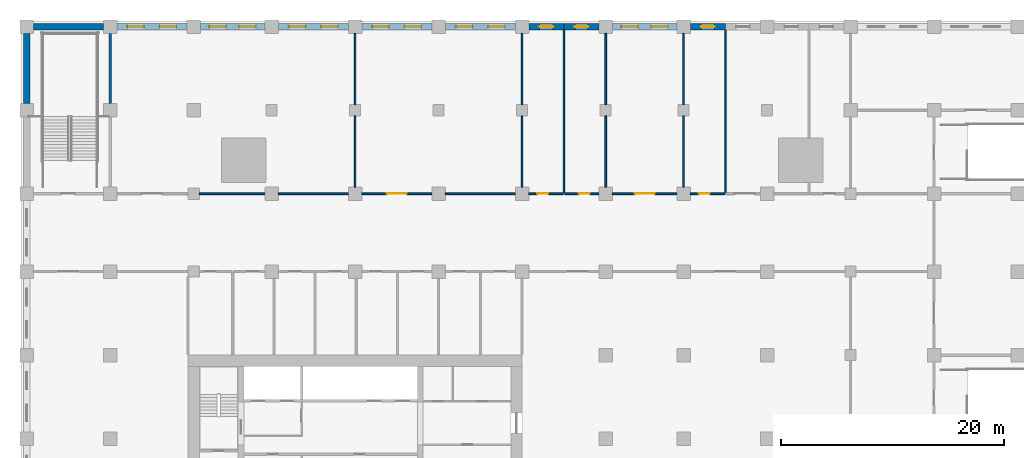
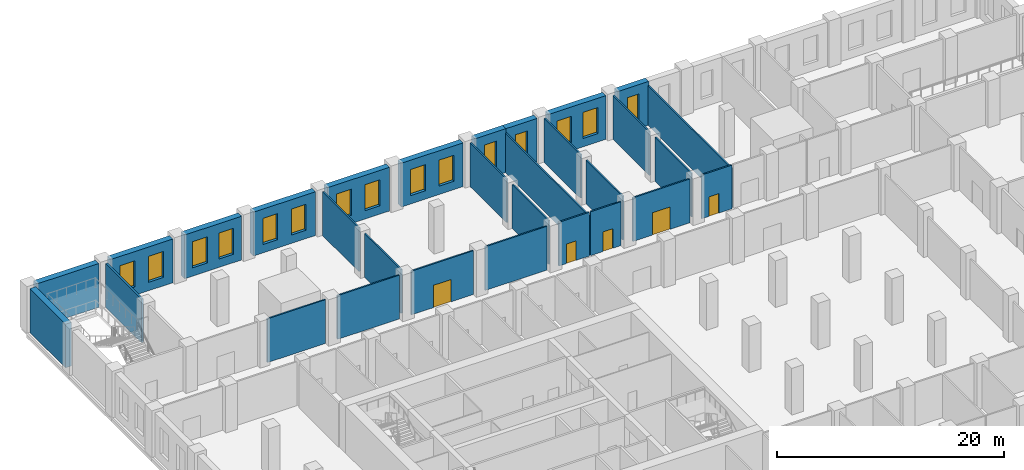
# One storey, part 10 of 22: 30 walls, 15 windows, 5 doors, 20 openings.
"""IFC4 building model written with IfcOpenShell, lengths in metres."""

from ifc_helpers import new_model, si_unit, direction, frame, frame_2d, origin, place, context, subcontext, project, spatial, rectangle, extrude, material, layer, layer_set, type_object, element, fill, save


model = new_model("IFC4")

# Units and contexts
model_context = context("Model", 3, precision=1e-05, world=origin(), true_north=direction((0.0, 1.0)))
body_context = subcontext(model_context, "Body", "Model", "MODEL_VIEW")
ifc_project = project(units=[si_unit("LENGTHUNIT", "METRE"), si_unit("AREAUNIT", "SQUARE_METRE"), si_unit("VOLUMEUNIT", "CUBIC_METRE"), si_unit("PLANEANGLEUNIT", "RADIAN"), si_unit("MASSUNIT", "GRAM", prefix="KILO")], contexts=[model_context])

# Site, building, storey
site_placement = place(None, origin())
site = spatial("IfcSite", under=ifc_project, at=site_placement, CompositionType="ELEMENT")
building_placement = place(site_placement, origin())
building = spatial("IfcBuilding", under=site, at=building_placement, Name="Tamorin Gate", CompositionType="ELEMENT")
storey_placement = place(building_placement, frame((0.0, 0.0, 29.0)))
storey = spatial("IfcBuildingStorey", under=building, at=storey_placement, Name="L05", CompositionType="ELEMENT", Elevation=29.0)

# Walls
ifc_material_1 = material(Name="Concrete masonry C20/25", Category="masonry")
ifc_layer_1 = layer(ifc_material_1, 0.14990234375)
ifc_layer_set_1 = layer_set([ifc_layer_1], Name="Partition 150")
wall_type_1 = type_object("IfcWallType", Name="Partition 150", PredefinedType="PARTITIONING", material=ifc_layer_set_1)
wall_1_placement = place(storey_placement, frame((31.0, 97.0, 0.0), z_axis=(0.0, 0.0, 1.0), x_axis=(1.0, 0.0, 0.0)))
element("IfcWall", 1, at=wall_1_placement, inside=storey, type_object=wall_type_1, Name="Partition 150 L05", PredefinedType="PARTITIONING", context=body_context, shape_type="SweptSolid", body=[
    extrude(rectangle(XDim=5.89990234375, YDim=0.14990234375, at=frame_2d((2.949951171875, 0.0))), origin(), (0.0, 0.0, 1.0), 4.699951171875),
])
wall_2_placement = place(storey_placement, frame((38.10009765625, 97.0, 0.0), z_axis=(0.0, 0.0, 1.0), x_axis=(1.0, 0.0, 0.0)))
element("IfcWall", 2, at=wall_2_placement, inside=storey, type_object=wall_type_1, Name="Partition 150 L05", PredefinedType="PARTITIONING", context=body_context, shape_type="SweptSolid", body=[
    extrude(rectangle(XDim=6.2998046875, YDim=0.14990234375, at=frame_2d((3.14990234375, 0.0))), origin(), (0.0, 0.0, 1.0), 4.699951171875),
])

# Wall, opening, door
wall_3_placement = place(storey_placement, frame((51.89990234375, 97.0, 0.0), z_axis=(0.0, 0.0, 1.0), x_axis=(-1.0, 0.0, 0.0)))
wall_3 = element("IfcWall", 3, at=wall_3_placement, inside=storey, type_object=wall_type_1, Name="Partition 150 L05", PredefinedType="PARTITIONING", context=body_context, shape_type="SweptSolid", body=[
    extrude(rectangle(XDim=6.2998046875, YDim=0.14990234375, at=frame_2d((3.14990234375, 0.0))), origin(), (0.0, 0.0, 1.0), 4.699951171875),
])
opening_1_placement = place(wall_3_placement, frame((2.25, 0.0, 0.0)))
opening_1 = element("IfcOpeningElement", 4, at=opening_1_placement, cuts=wall_3, Name="Opening DP3", PredefinedType="OPENING", context=body_context, shape_type="SweptSolid", body=[
    extrude(rectangle(XDim=1.800048828125, YDim=2.39990234375, at=frame_2d((0.89990234375, 1.199951171875))), frame((0.0, 0.0849609375, 0.0), z_axis=(0.0, -1.0, 0.0), x_axis=(1.0, 0.0, 0.0)), (0.0, 0.0, 1.0), 0.169921875),
])
ifc_material_2 = material(Name="Steel and glass", Category="steel")
door_type_1 = type_object("IfcDoorType", Name="Door pair 1800", OperationType="DOUBLE_DOOR_SINGLE_SWING", PredefinedType="DOOR", material=ifc_material_2)
door_1_placement = place(opening_1_placement, origin())
door_1 = element("IfcDoor", 5, at=door_1_placement, inside=storey, type_object=door_type_1, Name="Door pair 1800 L05", OperationType="SINGLE_SWING_LEFT", OverallHeight=2.39990234375, OverallWidth=1.800048828125, PredefinedType="DOOR", context=body_context, shape_type="SweptSolid", body=[
    extrude(rectangle(XDim=1.800048828125, YDim=2.39990234375, at=frame_2d((0.89990234375, 1.199951171875))), frame((0.0, 0.02490234375, 0.0), z_axis=(0.0, -1.0, 0.0), x_axis=(1.0, 0.0, 0.0)), (0.0, 0.0, 1.0), 0.050048828125),
])
fill(opening_1, door_1)

# Wall
wall_4_placement = place(storey_placement, frame((53.10009765625, 97.0, 0.0), z_axis=(0.0, 0.0, 1.0), x_axis=(1.0, 0.0, 0.0)))
element("IfcWall", 6, at=wall_4_placement, inside=storey, type_object=wall_type_1, Name="Partition 150 L05", PredefinedType="PARTITIONING", context=body_context, shape_type="SweptSolid", body=[
    extrude(rectangle(XDim=6.2998046875, YDim=0.14990234375, at=frame_2d((3.14990234375, 0.0))), origin(), (0.0, 0.0, 1.0), 4.699951171875),
])

# Wall, opening, door
wall_5_placement = place(storey_placement, frame((63.675048828125, 97.0, 0.0), z_axis=(0.0, 0.0, 1.0), x_axis=(-1.0, 0.0, 0.0)))
wall_5 = element("IfcWall", 7, at=wall_5_placement, inside=storey, type_object=wall_type_1, Name="Partition 150 L05", PredefinedType="PARTITIONING", context=body_context, shape_type="SweptSolid", body=[
    extrude(rectangle(XDim=3.074951171875, YDim=0.14990234375, at=frame_2d((1.53759765625, 0.0))), origin(), (0.0, 0.0, 1.0), 4.699951171875),
])
opening_2_placement = place(wall_5_placement, frame((1.324951171875, 0.0, 0.0)))
opening_2 = element("IfcOpeningElement", 8, at=opening_2_placement, cuts=wall_5, Name="Opening DP2", PredefinedType="OPENING", context=body_context, shape_type="SweptSolid", body=[
    extrude(rectangle(XDim=1.0, YDim=2.10009765625, at=frame_2d((0.5, 1.050048828125))), frame((0.0, 0.0849609375, 0.0), z_axis=(0.0, -1.0, 0.0), x_axis=(1.0, 0.0, 0.0)), (0.0, 0.0, 1.0), 0.169921875),
])
ifc_material_3 = material(Name="Painted steel", Category="steel")
door_type_2 = type_object("IfcDoorType", Name="Door single 1000", OperationType="SINGLE_SWING_LEFT", PredefinedType="DOOR", material=ifc_material_3)
door_2_placement = place(opening_2_placement, origin())
door_2 = element("IfcDoor", 9, at=door_2_placement, inside=storey, type_object=door_type_2, Name="Door single 1000 L05", OperationType="SINGLE_SWING_LEFT", OverallHeight=2.10009765625, OverallWidth=1.0, PredefinedType="DOOR", context=body_context, shape_type="SweptSolid", body=[
    extrude(rectangle(XDim=1.0, YDim=2.10009765625, at=frame_2d((0.5, 1.050048828125))), frame((0.0, 0.02490234375, 0.0), z_axis=(0.0, -1.0, 0.0), x_axis=(1.0, 0.0, 0.0)), (0.0, 0.0, 1.0), 0.050048828125),
])
fill(opening_2, door_2)

wall_6_placement = place(storey_placement, frame((66.89990234375, 97.0, 0.0), z_axis=(0.0, 0.0, 1.0), x_axis=(-1.0, 0.0, 0.0)))
wall_6 = element("IfcWall", 10, at=wall_6_placement, inside=storey, type_object=wall_type_1, Name="Partition 150 L05", PredefinedType="PARTITIONING", context=body_context, shape_type="SweptSolid", body=[
    extrude(rectangle(XDim=3.074951171875, YDim=0.14990234375, at=frame_2d((1.53759765625, 0.0))), origin(), (0.0, 0.0, 1.0), 4.699951171875),
])
opening_3_placement = place(wall_6_placement, frame((0.824951171875, 0.0, 0.0)))
opening_3 = element("IfcOpeningElement", 11, at=opening_3_placement, cuts=wall_6, Name="Opening DP2", PredefinedType="OPENING", context=body_context, shape_type="SweptSolid", body=[
    extrude(rectangle(XDim=1.0, YDim=2.10009765625, at=frame_2d((0.5, 1.050048828125))), frame((0.0, 0.0849609375, 0.0), z_axis=(0.0, -1.0, 0.0), x_axis=(1.0, 0.0, 0.0)), (0.0, 0.0, 1.0), 0.169921875),
])
door_3_placement = place(opening_3_placement, origin())
door_3 = element("IfcDoor", 12, at=door_3_placement, inside=storey, type_object=door_type_2, Name="Door single 1000 L05", OperationType="SINGLE_SWING_LEFT", OverallHeight=2.10009765625, OverallWidth=1.0, PredefinedType="DOOR", context=body_context, shape_type="SweptSolid", body=[
    extrude(rectangle(XDim=1.0, YDim=2.10009765625, at=frame_2d((0.5, 1.050048828125))), frame((0.0, 0.02490234375, 0.0), z_axis=(0.0, -1.0, 0.0), x_axis=(1.0, 0.0, 0.0)), (0.0, 0.0, 1.0), 0.050048828125),
])
fill(opening_3, door_3)

wall_7_placement = place(storey_placement, frame((73.89990234375, 97.0, 0.0), z_axis=(0.0, 0.0, 1.0), x_axis=(-1.0, 0.0, 0.0)))
wall_7 = element("IfcWall", 13, at=wall_7_placement, inside=storey, type_object=wall_type_1, Name="Partition 150 L05", PredefinedType="PARTITIONING", context=body_context, shape_type="SweptSolid", body=[
    extrude(rectangle(XDim=5.7998046875, YDim=0.14990234375, at=frame_2d((2.89990234375, 0.0))), origin(), (0.0, 0.0, 1.0), 4.699951171875),
])
opening_4_placement = place(wall_7_placement, frame((2.0, 0.0, 0.0)))
opening_4 = element("IfcOpeningElement", 14, at=opening_4_placement, cuts=wall_7, Name="Opening DP3", PredefinedType="OPENING", context=body_context, shape_type="SweptSolid", body=[
    extrude(rectangle(XDim=1.800048828125, YDim=2.39990234375, at=frame_2d((0.89990234375, 1.199951171875))), frame((0.0, 0.0849609375, 0.0), z_axis=(0.0, -1.0, 0.0), x_axis=(1.0, 0.0, 0.0)), (0.0, 0.0, 1.0), 0.169921875),
])
door_4_placement = place(opening_4_placement, origin())
door_4 = element("IfcDoor", 15, at=door_4_placement, inside=storey, type_object=door_type_1, Name="Door pair 1800 L05", OperationType="SINGLE_SWING_LEFT", OverallHeight=2.39990234375, OverallWidth=1.800048828125, PredefinedType="DOOR", context=body_context, shape_type="SweptSolid", body=[
    extrude(rectangle(XDim=1.800048828125, YDim=2.39990234375, at=frame_2d((0.89990234375, 1.199951171875))), frame((0.0, 0.02490234375, 0.0), z_axis=(0.0, -1.0, 0.0), x_axis=(1.0, 0.0, 0.0)), (0.0, 0.0, 1.0), 0.050048828125),
])
fill(opening_4, door_4)

wall_8_placement = place(storey_placement, frame((78.175048828125, 97.0, 0.0), z_axis=(0.0, 0.0, 1.0), x_axis=(-1.0, 0.0, 0.0)))
wall_8 = element("IfcWall", 16, at=wall_8_placement, inside=storey, type_object=wall_type_1, Name="Partition 150 L05", PredefinedType="PARTITIONING", context=body_context, shape_type="SweptSolid", body=[
    extrude(rectangle(XDim=3.074951171875, YDim=0.14990234375, at=frame_2d((1.53759765625, 0.0))), origin(), (0.0, 0.0, 1.0), 4.699951171875),
])
opening_5_placement = place(wall_8_placement, frame((1.324951171875, 0.0, 0.0)))
opening_5 = element("IfcOpeningElement", 17, at=opening_5_placement, cuts=wall_8, Name="Opening DP2", PredefinedType="OPENING", context=body_context, shape_type="SweptSolid", body=[
    extrude(rectangle(XDim=1.0, YDim=2.10009765625, at=frame_2d((0.5, 1.050048828125))), frame((0.0, 0.0849609375, 0.0), z_axis=(0.0, -1.0, 0.0), x_axis=(1.0, 0.0, 0.0)), (0.0, 0.0, 1.0), 0.169921875),
])
door_5_placement = place(opening_5_placement, origin())
door_5 = element("IfcDoor", 18, at=door_5_placement, inside=storey, type_object=door_type_2, Name="Door single 1000 L05", OperationType="SINGLE_SWING_LEFT", OverallHeight=2.10009765625, OverallWidth=1.0, PredefinedType="DOOR", context=body_context, shape_type="SweptSolid", body=[
    extrude(rectangle(XDim=1.0, YDim=2.10009765625, at=frame_2d((0.5, 1.050048828125))), frame((0.0, 0.02490234375, 0.0), z_axis=(0.0, -1.0, 0.0), x_axis=(1.0, 0.0, 0.0)), (0.0, 0.0, 1.0), 0.050048828125),
])
fill(opening_5, door_5)

# Walls
for number, where, z_axis, x_axis, name in (
    (19, (45.0, 97.60009765625, 0.0), (0.0, 0.0, 1.0), (0.0, 1.0, 0.0), "Partition 150 L05"),
    (20, (45.0, 105.0, 0.0), (0.0, 0.0, 1.0), (0.0, 1.0, 0.0), "Partition 150 L05"),
    (21, (60.0, 97.60009765625, 0.0), (0.0, 0.0, 1.0), (0.0, 1.0, 0.0), "Partition 150 L05"),
    (22, (60.0, 105.0, 0.0), (0.0, 0.0, 1.0), (0.0, 1.0, 0.0), "Partition 150 L05"),
    (23, (67.5, 97.60009765625, 0.0), (0.0, 0.0, 1.0), (0.0, 1.0, 0.0), "Partition 150 L05"),
    (24, (67.5, 105.0, 0.0), (0.0, 0.0, 1.0), (0.0, 1.0, 0.0), "Partition 150 L05"),
):
    element("IfcWall", number, at=place(storey_placement, frame(where, z_axis=z_axis, x_axis=x_axis)), inside=storey, type_object=wall_type_1, Name=name, PredefinedType="PARTITIONING", context=body_context, shape_type="SweptSolid", body=[
        extrude(rectangle(XDim=6.39990234375, YDim=0.14990234375, at=frame_2d((3.199951171875, 0.0))), origin(), (0.0, 0.0, 1.0), 4.699951171875),
    ])
for number, where, z_axis, x_axis, name in (
    (25, (78.25, 97.074951171875, 0.0), (0.0, 0.0, 1.0), (0.0, 1.0, 0.0), "Partition 150 L05"),
    (26, (63.75, 97.074951171875, 0.0), (0.0, 0.0, 1.0), (0.0, 1.0, 0.0), "Partition 150 L05"),
):
    element("IfcWall", number, at=place(storey_placement, frame(where, z_axis=z_axis, x_axis=x_axis)), inside=storey, type_object=wall_type_1, Name=name, PredefinedType="PARTITIONING", context=body_context, shape_type="SweptSolid", body=[
        extrude(rectangle(XDim=14.625, YDim=0.14990234375, at=frame_2d((7.3125, 0.0))), origin(), (0.0, 0.0, 1.0), 4.25),
    ])
for number, where, z_axis, x_axis, name in (
    (27, (74.5, 97.60009765625, 0.0), (0.0, 0.0, 1.0), (0.0, 1.0, 0.0), "Partition 150 L05"),
    (28, (74.5, 105.0, 0.0), (0.0, 0.0, 1.0), (0.0, 1.0, 0.0), "Partition 150 L05"),
):
    element("IfcWall", number, at=place(storey_placement, frame(where, z_axis=z_axis, x_axis=x_axis)), inside=storey, type_object=wall_type_1, Name=name, PredefinedType="PARTITIONING", context=body_context, shape_type="SweptSolid", body=[
        extrude(rectangle(XDim=6.39990234375, YDim=0.14990234375, at=frame_2d((3.199951171875, 0.0))), origin(), (0.0, 0.0, 1.0), 4.699951171875),
    ])
ifc_material_4 = material(Name="Precast concrete C40/50", Category="concrete")
ifc_layer_2 = layer(ifc_material_4, 0.60009765625)
ifc_layer_set_2 = layer_set([ifc_layer_2], Name="Precast concrete C40/50")
wall_type_2 = type_object("IfcWallType", Name="Precast plinth wall 600", PredefinedType="PARTITIONING", material=ifc_layer_set_2)
wall_9_placement = place(storey_placement, frame((16.10009765625, 112.0, 0.0), z_axis=(0.0, 0.0, 1.0), x_axis=(1.0, 0.0, 0.0)))
element("IfcWall", 29, at=wall_9_placement, inside=storey, type_object=wall_type_2, Name="Precast plinth wall 600 L05", PredefinedType="PARTITIONING", context=body_context, shape_type="SweptSolid", body=[
    extrude(rectangle(XDim=6.2998046875, YDim=0.60009765625, at=frame_2d((3.14990234375, 0.0))), origin(), (0.0, 0.0, 1.0), 4.699951171875),
])

# Wall, openings, windows
wall_10_placement = place(storey_placement, frame((23.60009765625, 112.0, 0.0), z_axis=(0.0, 0.0, 1.0), x_axis=(1.0, 0.0, 0.0)))
wall_10 = element("IfcWall", 30, at=wall_10_placement, inside=storey, type_object=wall_type_2, Name="Precast plinth wall 600 L05", PredefinedType="PARTITIONING", context=body_context, shape_type="SweptSolid", body=[
    extrude(rectangle(XDim=6.2998046875, YDim=0.60009765625, at=frame_2d((3.14990234375, 0.0))), origin(), (0.0, 0.0, 1.0), 4.699951171875),
])
opening_6_placement = place(wall_10_placement, frame((0.950927734375, 0.0, 0.89990234375)))
opening_6 = element("IfcOpeningElement", 31, at=opening_6_placement, cuts=wall_10, Name="Opening PWN5", PredefinedType="OPENING", context=body_context, shape_type="SweptSolid", body=[
    extrude(rectangle(XDim=1.5, YDim=2.800048828125, at=frame_2d((0.75, 1.39990234375))), frame((0.0, 0.31005859375, 0.0), z_axis=(0.0, -1.0, 0.0), x_axis=(1.0, 0.0, 0.0)), (0.0, 0.0, 1.0), 0.6201171875),
])
opening_7_placement = place(wall_10_placement, frame((3.84912109375, 0.0, 0.89990234375)))
opening_7 = element("IfcOpeningElement", 32, at=opening_7_placement, cuts=wall_10, Name="Opening PWN5", PredefinedType="OPENING", context=body_context, shape_type="SweptSolid", body=[
    extrude(rectangle(XDim=1.5, YDim=2.800048828125, at=frame_2d((0.75, 1.39990234375))), frame((0.0, 0.31005859375, 0.0), z_axis=(0.0, -1.0, 0.0), x_axis=(1.0, 0.0, 0.0)), (0.0, 0.0, 1.0), 0.6201171875),
])
ifc_material_5 = material(Name="Aluminium and glass", Category="aluminium")
window_type_1 = type_object("IfcWindowType", Name="Plinth window 1500x2800", PartitioningType="DOUBLE_PANEL_VERTICAL", PredefinedType="WINDOW", material=ifc_material_5)
window_1_placement = place(opening_6_placement, origin())
window_1 = element("IfcWindow", 33, at=window_1_placement, inside=storey, type_object=window_type_1, Name="Plinth window 1500x2800", OverallHeight=2.800048828125, OverallWidth=1.5, PartitioningType="SINGLE_PANEL", PredefinedType="WINDOW", context=body_context, shape_type="SweptSolid", body=[
    extrude(rectangle(XDim=1.5, YDim=2.800048828125, at=frame_2d((0.75, 1.39990234375))), frame((0.0, 0.030029296875, 0.0), z_axis=(0.0, -1.0, 0.0), x_axis=(1.0, 0.0, 0.0)), (0.0, 0.0, 1.0), 0.06005859375),
])
fill(opening_6, window_1)
window_2_placement = place(opening_7_placement, origin())
window_2 = element("IfcWindow", 34, at=window_2_placement, inside=storey, type_object=window_type_1, Name="Plinth window 1500x2800", OverallHeight=2.800048828125, OverallWidth=1.5, PartitioningType="SINGLE_PANEL", PredefinedType="WINDOW", context=body_context, shape_type="SweptSolid", body=[
    extrude(rectangle(XDim=1.5, YDim=2.800048828125, at=frame_2d((0.75, 1.39990234375))), frame((0.0, 0.030029296875, 0.0), z_axis=(0.0, -1.0, 0.0), x_axis=(1.0, 0.0, 0.0)), (0.0, 0.0, 1.0), 0.06005859375),
])
fill(opening_7, window_2)

wall_11_placement = place(storey_placement, frame((31.10009765625, 112.0, 0.0), z_axis=(0.0, 0.0, 1.0), x_axis=(1.0, 0.0, 0.0)))
wall_11 = element("IfcWall", 35, at=wall_11_placement, inside=storey, type_object=wall_type_2, Name="Precast plinth wall 600 L05", PredefinedType="PARTITIONING", context=body_context, shape_type="SweptSolid", body=[
    extrude(rectangle(XDim=5.7998046875, YDim=0.60009765625, at=frame_2d((2.89990234375, 0.0))), origin(), (0.0, 0.0, 1.0), 4.699951171875),
])
opening_8_placement = place(wall_11_placement, frame((0.81591796875, 0.0, 0.89990234375)))
opening_8 = element("IfcOpeningElement", 36, at=opening_8_placement, cuts=wall_11, Name="Opening PWN5", PredefinedType="OPENING", context=body_context, shape_type="SweptSolid", body=[
    extrude(rectangle(XDim=1.5, YDim=2.800048828125, at=frame_2d((0.75, 1.39990234375))), frame((0.0, 0.31005859375, 0.0), z_axis=(0.0, -1.0, 0.0), x_axis=(1.0, 0.0, 0.0)), (0.0, 0.0, 1.0), 0.6201171875),
])
opening_9_placement = place(wall_11_placement, frame((3.48388671875, 0.0, 0.89990234375)))
opening_9 = element("IfcOpeningElement", 37, at=opening_9_placement, cuts=wall_11, Name="Opening PWN5", PredefinedType="OPENING", context=body_context, shape_type="SweptSolid", body=[
    extrude(rectangle(XDim=1.5, YDim=2.800048828125, at=frame_2d((0.75, 1.39990234375))), frame((0.0, 0.31005859375, 0.0), z_axis=(0.0, -1.0, 0.0), x_axis=(1.0, 0.0, 0.0)), (0.0, 0.0, 1.0), 0.6201171875),
])
window_3_placement = place(opening_8_placement, origin())
window_3 = element("IfcWindow", 38, at=window_3_placement, inside=storey, type_object=window_type_1, Name="Plinth window 1500x2800", OverallHeight=2.800048828125, OverallWidth=1.5, PartitioningType="SINGLE_PANEL", PredefinedType="WINDOW", context=body_context, shape_type="SweptSolid", body=[
    extrude(rectangle(XDim=1.5, YDim=2.800048828125, at=frame_2d((0.75, 1.39990234375))), frame((0.0, 0.030029296875, 0.0), z_axis=(0.0, -1.0, 0.0), x_axis=(1.0, 0.0, 0.0)), (0.0, 0.0, 1.0), 0.06005859375),
])
fill(opening_8, window_3)
window_4_placement = place(opening_9_placement, origin())
window_4 = element("IfcWindow", 39, at=window_4_placement, inside=storey, type_object=window_type_1, Name="Plinth window 1500x2800", OverallHeight=2.800048828125, OverallWidth=1.5, PartitioningType="SINGLE_PANEL", PredefinedType="WINDOW", context=body_context, shape_type="SweptSolid", body=[
    extrude(rectangle(XDim=1.5, YDim=2.800048828125, at=frame_2d((0.75, 1.39990234375))), frame((0.0, 0.030029296875, 0.0), z_axis=(0.0, -1.0, 0.0), x_axis=(1.0, 0.0, 0.0)), (0.0, 0.0, 1.0), 0.06005859375),
])
fill(opening_9, window_4)

wall_12_placement = place(storey_placement, frame((38.10009765625, 112.0, 0.0), z_axis=(0.0, 0.0, 1.0), x_axis=(1.0, 0.0, 0.0)))
wall_12 = element("IfcWall", 40, at=wall_12_placement, inside=storey, type_object=wall_type_2, Name="Precast plinth wall 600 L05", PredefinedType="PARTITIONING", context=body_context, shape_type="SweptSolid", body=[
    extrude(rectangle(XDim=6.2998046875, YDim=0.60009765625, at=frame_2d((3.14990234375, 0.0))), origin(), (0.0, 0.0, 1.0), 4.699951171875),
])
opening_10_placement = place(wall_12_placement, frame((0.950927734375, 0.0, 0.89990234375)))
opening_10 = element("IfcOpeningElement", 41, at=opening_10_placement, cuts=wall_12, Name="Opening PWN5", PredefinedType="OPENING", context=body_context, shape_type="SweptSolid", body=[
    extrude(rectangle(XDim=1.5, YDim=2.800048828125, at=frame_2d((0.75, 1.39990234375))), frame((0.0, 0.31005859375, 0.0), z_axis=(0.0, -1.0, 0.0), x_axis=(1.0, 0.0, 0.0)), (0.0, 0.0, 1.0), 0.6201171875),
])
opening_11_placement = place(wall_12_placement, frame((3.84912109375, 0.0, 0.89990234375)))
opening_11 = element("IfcOpeningElement", 42, at=opening_11_placement, cuts=wall_12, Name="Opening PWN5", PredefinedType="OPENING", context=body_context, shape_type="SweptSolid", body=[
    extrude(rectangle(XDim=1.5, YDim=2.800048828125, at=frame_2d((0.75, 1.39990234375))), frame((0.0, 0.31005859375, 0.0), z_axis=(0.0, -1.0, 0.0), x_axis=(1.0, 0.0, 0.0)), (0.0, 0.0, 1.0), 0.6201171875),
])
window_5_placement = place(opening_10_placement, origin())
window_5 = element("IfcWindow", 43, at=window_5_placement, inside=storey, type_object=window_type_1, Name="Plinth window 1500x2800", OverallHeight=2.800048828125, OverallWidth=1.5, PartitioningType="SINGLE_PANEL", PredefinedType="WINDOW", context=body_context, shape_type="SweptSolid", body=[
    extrude(rectangle(XDim=1.5, YDim=2.800048828125, at=frame_2d((0.75, 1.39990234375))), frame((0.0, 0.030029296875, 0.0), z_axis=(0.0, -1.0, 0.0), x_axis=(1.0, 0.0, 0.0)), (0.0, 0.0, 1.0), 0.06005859375),
])
fill(opening_10, window_5)
window_6_placement = place(opening_11_placement, origin())
window_6 = element("IfcWindow", 44, at=window_6_placement, inside=storey, type_object=window_type_1, Name="Plinth window 1500x2800", OverallHeight=2.800048828125, OverallWidth=1.5, PartitioningType="SINGLE_PANEL", PredefinedType="WINDOW", context=body_context, shape_type="SweptSolid", body=[
    extrude(rectangle(XDim=1.5, YDim=2.800048828125, at=frame_2d((0.75, 1.39990234375))), frame((0.0, 0.030029296875, 0.0), z_axis=(0.0, -1.0, 0.0), x_axis=(1.0, 0.0, 0.0)), (0.0, 0.0, 1.0), 0.06005859375),
])
fill(opening_11, window_6)

wall_13_placement = place(storey_placement, frame((45.60009765625, 112.0, 0.0), z_axis=(0.0, 0.0, 1.0), x_axis=(1.0, 0.0, 0.0)))
wall_13 = element("IfcWall", 45, at=wall_13_placement, inside=storey, type_object=wall_type_2, Name="Precast plinth wall 600 L05", PredefinedType="PARTITIONING", context=body_context, shape_type="SweptSolid", body=[
    extrude(rectangle(XDim=6.2998046875, YDim=0.60009765625, at=frame_2d((3.14990234375, 0.0))), origin(), (0.0, 0.0, 1.0), 4.699951171875),
])
opening_12_placement = place(wall_13_placement, frame((0.950927734375, 0.0, 0.89990234375)))
opening_12 = element("IfcOpeningElement", 46, at=opening_12_placement, cuts=wall_13, Name="Opening PWN5", PredefinedType="OPENING", context=body_context, shape_type="SweptSolid", body=[
    extrude(rectangle(XDim=1.5, YDim=2.800048828125, at=frame_2d((0.75, 1.39990234375))), frame((0.0, 0.31005859375, 0.0), z_axis=(0.0, -1.0, 0.0), x_axis=(1.0, 0.0, 0.0)), (0.0, 0.0, 1.0), 0.6201171875),
])
opening_13_placement = place(wall_13_placement, frame((3.84912109375, 0.0, 0.89990234375)))
opening_13 = element("IfcOpeningElement", 47, at=opening_13_placement, cuts=wall_13, Name="Opening PWN5", PredefinedType="OPENING", context=body_context, shape_type="SweptSolid", body=[
    extrude(rectangle(XDim=1.5, YDim=2.800048828125, at=frame_2d((0.75, 1.39990234375))), frame((0.0, 0.31005859375, 0.0), z_axis=(0.0, -1.0, 0.0), x_axis=(1.0, 0.0, 0.0)), (0.0, 0.0, 1.0), 0.6201171875),
])
window_7_placement = place(opening_12_placement, origin())
window_7 = element("IfcWindow", 48, at=window_7_placement, inside=storey, type_object=window_type_1, Name="Plinth window 1500x2800", OverallHeight=2.800048828125, OverallWidth=1.5, PartitioningType="SINGLE_PANEL", PredefinedType="WINDOW", context=body_context, shape_type="SweptSolid", body=[
    extrude(rectangle(XDim=1.5, YDim=2.800048828125, at=frame_2d((0.75, 1.39990234375))), frame((0.0, 0.030029296875, 0.0), z_axis=(0.0, -1.0, 0.0), x_axis=(1.0, 0.0, 0.0)), (0.0, 0.0, 1.0), 0.06005859375),
])
fill(opening_12, window_7)
window_8_placement = place(opening_13_placement, origin())
window_8 = element("IfcWindow", 49, at=window_8_placement, inside=storey, type_object=window_type_1, Name="Plinth window 1500x2800", OverallHeight=2.800048828125, OverallWidth=1.5, PartitioningType="SINGLE_PANEL", PredefinedType="WINDOW", context=body_context, shape_type="SweptSolid", body=[
    extrude(rectangle(XDim=1.5, YDim=2.800048828125, at=frame_2d((0.75, 1.39990234375))), frame((0.0, 0.030029296875, 0.0), z_axis=(0.0, -1.0, 0.0), x_axis=(1.0, 0.0, 0.0)), (0.0, 0.0, 1.0), 0.06005859375),
])
fill(opening_13, window_8)

wall_14_placement = place(storey_placement, frame((53.10009765625, 112.0, 0.0), z_axis=(0.0, 0.0, 1.0), x_axis=(1.0, 0.0, 0.0)))
wall_14 = element("IfcWall", 50, at=wall_14_placement, inside=storey, type_object=wall_type_2, Name="Precast plinth wall 600 L05", PredefinedType="PARTITIONING", context=body_context, shape_type="SweptSolid", body=[
    extrude(rectangle(XDim=6.2998046875, YDim=0.60009765625, at=frame_2d((3.14990234375, 0.0))), origin(), (0.0, 0.0, 1.0), 4.699951171875),
])
opening_14_placement = place(wall_14_placement, frame((0.950927734375, 0.0, 0.89990234375)))
opening_14 = element("IfcOpeningElement", 51, at=opening_14_placement, cuts=wall_14, Name="Opening PWN5", PredefinedType="OPENING", context=body_context, shape_type="SweptSolid", body=[
    extrude(rectangle(XDim=1.5, YDim=2.800048828125, at=frame_2d((0.75, 1.39990234375))), frame((0.0, 0.31005859375, 0.0), z_axis=(0.0, -1.0, 0.0), x_axis=(1.0, 0.0, 0.0)), (0.0, 0.0, 1.0), 0.6201171875),
])
opening_15_placement = place(wall_14_placement, frame((3.84912109375, 0.0, 0.89990234375)))
opening_15 = element("IfcOpeningElement", 52, at=opening_15_placement, cuts=wall_14, Name="Opening PWN5", PredefinedType="OPENING", context=body_context, shape_type="SweptSolid", body=[
    extrude(rectangle(XDim=1.5, YDim=2.800048828125, at=frame_2d((0.75, 1.39990234375))), frame((0.0, 0.31005859375, 0.0), z_axis=(0.0, -1.0, 0.0), x_axis=(1.0, 0.0, 0.0)), (0.0, 0.0, 1.0), 0.6201171875),
])
window_9_placement = place(opening_14_placement, origin())
window_9 = element("IfcWindow", 53, at=window_9_placement, inside=storey, type_object=window_type_1, Name="Plinth window 1500x2800", OverallHeight=2.800048828125, OverallWidth=1.5, PartitioningType="SINGLE_PANEL", PredefinedType="WINDOW", context=body_context, shape_type="SweptSolid", body=[
    extrude(rectangle(XDim=1.5, YDim=2.800048828125, at=frame_2d((0.75, 1.39990234375))), frame((0.0, 0.030029296875, 0.0), z_axis=(0.0, -1.0, 0.0), x_axis=(1.0, 0.0, 0.0)), (0.0, 0.0, 1.0), 0.06005859375),
])
fill(opening_14, window_9)
window_10_placement = place(opening_15_placement, origin())
window_10 = element("IfcWindow", 54, at=window_10_placement, inside=storey, type_object=window_type_1, Name="Plinth window 1500x2800", OverallHeight=2.800048828125, OverallWidth=1.5, PartitioningType="SINGLE_PANEL", PredefinedType="WINDOW", context=body_context, shape_type="SweptSolid", body=[
    extrude(rectangle(XDim=1.5, YDim=2.800048828125, at=frame_2d((0.75, 1.39990234375))), frame((0.0, 0.030029296875, 0.0), z_axis=(0.0, -1.0, 0.0), x_axis=(1.0, 0.0, 0.0)), (0.0, 0.0, 1.0), 0.06005859375),
])
fill(opening_15, window_10)

# Wall, opening, window
wall_15_placement = place(storey_placement, frame((60.60009765625, 112.0, 0.0), z_axis=(0.0, 0.0, 1.0), x_axis=(1.0, 0.0, 0.0)))
wall_15 = element("IfcWall", 55, at=wall_15_placement, inside=storey, type_object=wall_type_2, Name="Precast plinth wall 600 L05", PredefinedType="PARTITIONING", context=body_context, shape_type="SweptSolid", body=[
    extrude(rectangle(XDim=3.14990234375, YDim=0.60009765625, at=frame_2d((1.574951171875, 0.0))), origin(), (0.0, 0.0, 1.0), 4.699951171875),
])
opening_16_placement = place(wall_15_placement, frame((0.97509765625, 0.0, 0.89990234375)))
opening_16 = element("IfcOpeningElement", 56, at=opening_16_placement, cuts=wall_15, Name="Opening PWN4", PredefinedType="OPENING", context=body_context, shape_type="SweptSolid", body=[
    extrude(rectangle(XDim=1.199951171875, YDim=2.800048828125, at=frame_2d((0.60009765625, 1.39990234375))), frame((0.0, 0.31005859375, 0.0), z_axis=(0.0, -1.0, 0.0), x_axis=(1.0, 0.0, 0.0)), (0.0, 0.0, 1.0), 0.6201171875),
])
window_type_2 = type_object("IfcWindowType", Name="Plinth window 1200x2800", PartitioningType="DOUBLE_PANEL_VERTICAL", PredefinedType="WINDOW", material=ifc_material_5)
window_11_placement = place(opening_16_placement, origin())
window_11 = element("IfcWindow", 57, at=window_11_placement, inside=storey, type_object=window_type_2, Name="Plinth window 1200x2800", OverallHeight=2.800048828125, OverallWidth=1.199951171875, PartitioningType="SINGLE_PANEL", PredefinedType="WINDOW", context=body_context, shape_type="SweptSolid", body=[
    extrude(rectangle(XDim=1.199951171875, YDim=2.800048828125, at=frame_2d((0.60009765625, 1.39990234375))), frame((0.0, 0.030029296875, 0.0), z_axis=(0.0, -1.0, 0.0), x_axis=(1.0, 0.0, 0.0)), (0.0, 0.0, 1.0), 0.06005859375),
])
fill(opening_16, window_11)

wall_16_placement = place(storey_placement, frame((63.75, 112.0, 0.0), z_axis=(0.0, 0.0, 1.0), x_axis=(1.0, 0.0, 0.0)))
wall_16 = element("IfcWall", 58, at=wall_16_placement, inside=storey, type_object=wall_type_2, Name="Precast plinth wall 600 L05", PredefinedType="PARTITIONING", context=body_context, shape_type="SweptSolid", body=[
    extrude(rectangle(XDim=3.14990234375, YDim=0.60009765625, at=frame_2d((1.574951171875, 0.0))), origin(), (0.0, 0.0, 1.0), 4.699951171875),
])
opening_17_placement = place(wall_16_placement, frame((0.97509765625, 0.0, 0.89990234375)))
opening_17 = element("IfcOpeningElement", 59, at=opening_17_placement, cuts=wall_16, Name="Opening PWN4", PredefinedType="OPENING", context=body_context, shape_type="SweptSolid", body=[
    extrude(rectangle(XDim=1.199951171875, YDim=2.800048828125, at=frame_2d((0.60009765625, 1.39990234375))), frame((0.0, 0.31005859375, 0.0), z_axis=(0.0, -1.0, 0.0), x_axis=(1.0, 0.0, 0.0)), (0.0, 0.0, 1.0), 0.6201171875),
])
window_12_placement = place(opening_17_placement, origin())
window_12 = element("IfcWindow", 60, at=window_12_placement, inside=storey, type_object=window_type_2, Name="Plinth window 1200x2800", OverallHeight=2.800048828125, OverallWidth=1.199951171875, PartitioningType="SINGLE_PANEL", PredefinedType="WINDOW", context=body_context, shape_type="SweptSolid", body=[
    extrude(rectangle(XDim=1.199951171875, YDim=2.800048828125, at=frame_2d((0.60009765625, 1.39990234375))), frame((0.0, 0.030029296875, 0.0), z_axis=(0.0, -1.0, 0.0), x_axis=(1.0, 0.0, 0.0)), (0.0, 0.0, 1.0), 0.06005859375),
])
fill(opening_17, window_12)

# Wall, openings, windows
wall_17_placement = place(storey_placement, frame((68.10009765625, 112.0, 0.0), z_axis=(0.0, 0.0, 1.0), x_axis=(1.0, 0.0, 0.0)))
wall_17 = element("IfcWall", 61, at=wall_17_placement, inside=storey, type_object=wall_type_2, Name="Precast plinth wall 600 L05", PredefinedType="PARTITIONING", context=body_context, shape_type="SweptSolid", body=[
    extrude(rectangle(XDim=5.7998046875, YDim=0.60009765625, at=frame_2d((2.89990234375, 0.0))), origin(), (0.0, 0.0, 1.0), 4.699951171875),
])
opening_18_placement = place(wall_17_placement, frame((0.81591796875, 0.0, 0.89990234375)))
opening_18 = element("IfcOpeningElement", 62, at=opening_18_placement, cuts=wall_17, Name="Opening PWN5", PredefinedType="OPENING", context=body_context, shape_type="SweptSolid", body=[
    extrude(rectangle(XDim=1.5, YDim=2.800048828125, at=frame_2d((0.75, 1.39990234375))), frame((0.0, 0.31005859375, 0.0), z_axis=(0.0, -1.0, 0.0), x_axis=(1.0, 0.0, 0.0)), (0.0, 0.0, 1.0), 0.6201171875),
])
opening_19_placement = place(wall_17_placement, frame((3.48388671875, 0.0, 0.89990234375)))
opening_19 = element("IfcOpeningElement", 63, at=opening_19_placement, cuts=wall_17, Name="Opening PWN5", PredefinedType="OPENING", context=body_context, shape_type="SweptSolid", body=[
    extrude(rectangle(XDim=1.5, YDim=2.800048828125, at=frame_2d((0.75, 1.39990234375))), frame((0.0, 0.31005859375, 0.0), z_axis=(0.0, -1.0, 0.0), x_axis=(1.0, 0.0, 0.0)), (0.0, 0.0, 1.0), 0.6201171875),
])
window_13_placement = place(opening_18_placement, origin())
window_13 = element("IfcWindow", 64, at=window_13_placement, inside=storey, type_object=window_type_1, Name="Plinth window 1500x2800", OverallHeight=2.800048828125, OverallWidth=1.5, PartitioningType="SINGLE_PANEL", PredefinedType="WINDOW", context=body_context, shape_type="SweptSolid", body=[
    extrude(rectangle(XDim=1.5, YDim=2.800048828125, at=frame_2d((0.75, 1.39990234375))), frame((0.0, 0.030029296875, 0.0), z_axis=(0.0, -1.0, 0.0), x_axis=(1.0, 0.0, 0.0)), (0.0, 0.0, 1.0), 0.06005859375),
])
fill(opening_18, window_13)
window_14_placement = place(opening_19_placement, origin())
window_14 = element("IfcWindow", 65, at=window_14_placement, inside=storey, type_object=window_type_1, Name="Plinth window 1500x2800", OverallHeight=2.800048828125, OverallWidth=1.5, PartitioningType="SINGLE_PANEL", PredefinedType="WINDOW", context=body_context, shape_type="SweptSolid", body=[
    extrude(rectangle(XDim=1.5, YDim=2.800048828125, at=frame_2d((0.75, 1.39990234375))), frame((0.0, 0.030029296875, 0.0), z_axis=(0.0, -1.0, 0.0), x_axis=(1.0, 0.0, 0.0)), (0.0, 0.0, 1.0), 0.06005859375),
])
fill(opening_19, window_14)

# Wall, opening, window
wall_18_placement = place(storey_placement, frame((75.10009765625, 112.0, 0.0), z_axis=(0.0, 0.0, 1.0), x_axis=(1.0, 0.0, 0.0)))
wall_18 = element("IfcWall", 66, at=wall_18_placement, inside=storey, type_object=wall_type_2, Name="Precast plinth wall 600 L05", PredefinedType="PARTITIONING", context=body_context, shape_type="SweptSolid", body=[
    extrude(rectangle(XDim=3.14990234375, YDim=0.60009765625, at=frame_2d((1.574951171875, 0.0))), origin(), (0.0, 0.0, 1.0), 4.699951171875),
])
opening_20_placement = place(wall_18_placement, frame((0.97509765625, 0.0, 0.89990234375)))
opening_20 = element("IfcOpeningElement", 67, at=opening_20_placement, cuts=wall_18, Name="Opening PWN4", PredefinedType="OPENING", context=body_context, shape_type="SweptSolid", body=[
    extrude(rectangle(XDim=1.199951171875, YDim=2.800048828125, at=frame_2d((0.60009765625, 1.39990234375))), frame((0.0, 0.31005859375, 0.0), z_axis=(0.0, -1.0, 0.0), x_axis=(1.0, 0.0, 0.0)), (0.0, 0.0, 1.0), 0.6201171875),
])
window_15_placement = place(opening_20_placement, origin())
window_15 = element("IfcWindow", 68, at=window_15_placement, inside=storey, type_object=window_type_2, Name="Plinth window 1200x2800", OverallHeight=2.800048828125, OverallWidth=1.199951171875, PartitioningType="SINGLE_PANEL", PredefinedType="WINDOW", context=body_context, shape_type="SweptSolid", body=[
    extrude(rectangle(XDim=1.199951171875, YDim=2.800048828125, at=frame_2d((0.60009765625, 1.39990234375))), frame((0.0, 0.030029296875, 0.0), z_axis=(0.0, -1.0, 0.0), x_axis=(1.0, 0.0, 0.0)), (0.0, 0.0, 1.0), 0.06005859375),
])
fill(opening_20, window_15)

# Walls
wall_19_placement = place(storey_placement, frame((15.5, 105.10009765625, 0.0), z_axis=(0.0, 0.0, 1.0), x_axis=(0.0, 1.0, 0.0)))
element("IfcWall", 69, at=wall_19_placement, inside=storey, type_object=wall_type_2, Name="Precast plinth wall 600 L05", PredefinedType="PARTITIONING", context=body_context, shape_type="SweptSolid", body=[
    extrude(rectangle(XDim=6.2998046875, YDim=0.60009765625, at=frame_2d((3.14990234375, 0.0))), origin(), (0.0, 0.0, 1.0), 4.699951171875),
])
ifc_material_6 = material(Name="Concrete C40/50", Category="concrete")
ifc_layer_3 = layer(ifc_material_6, 0.199951171875)
ifc_layer_set_3 = layer_set([ifc_layer_3], Name="Stair enclosure 200")
wall_type_3 = type_object("IfcWallType", Name="Stair enclosure 200", PredefinedType="SHEAR", material=ifc_layer_set_3)
wall_20_placement = place(storey_placement, frame((23.0, 105.10009765625, 0.0), z_axis=(0.0, 0.0, 1.0), x_axis=(0.0, 1.0, 0.0)))
element("IfcWall", 70, at=wall_20_placement, inside=storey, type_object=wall_type_3, Name="Stair enclosure 200 L05", PredefinedType="SHEAR", context=body_context, shape_type="SweptSolid", body=[
    extrude(rectangle(XDim=6.2998046875, YDim=0.199951171875, at=frame_2d((3.14990234375, 0.0))), origin(), (0.0, 0.0, 1.0), 4.699951171875),
])

save(model, "model.ifc")
